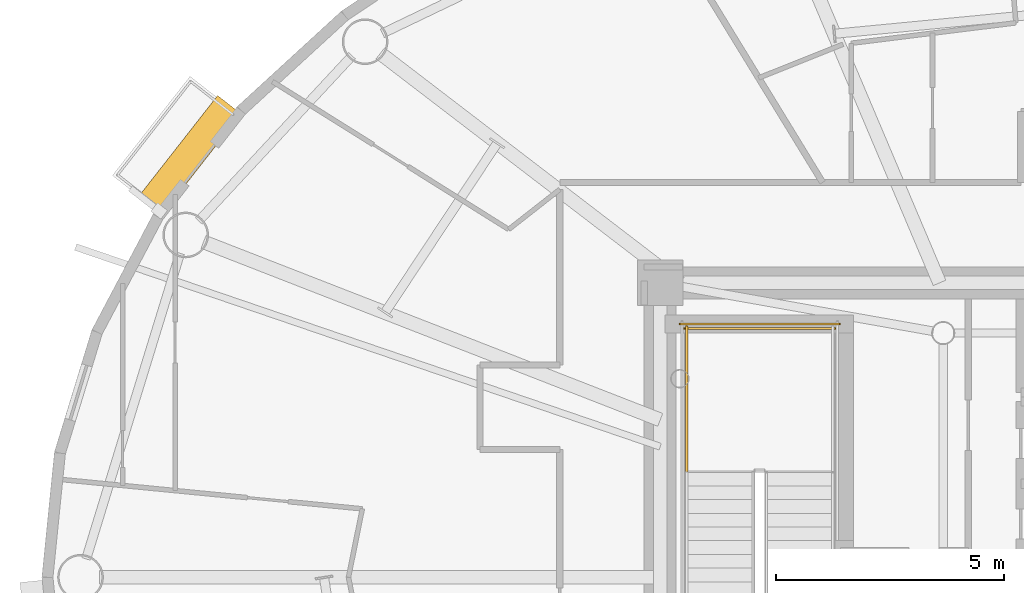
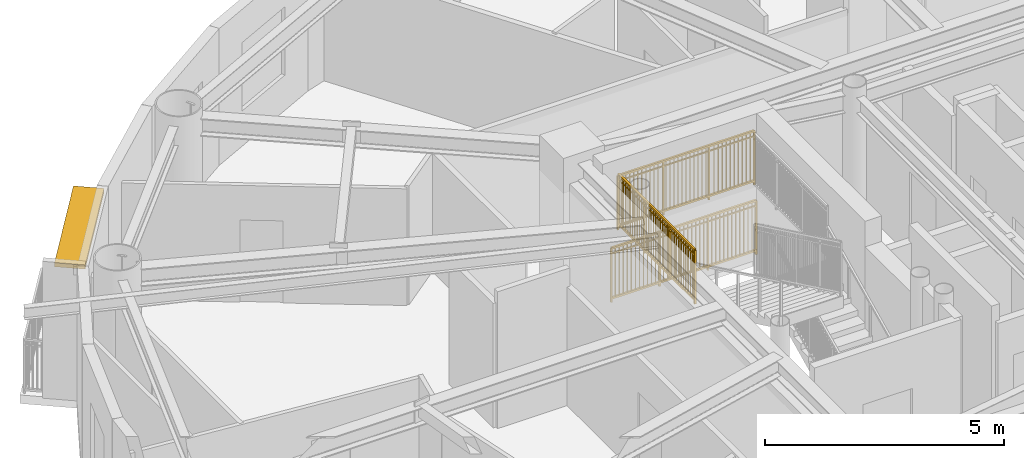
# One storey, part 15 of 18: 3 railings, 1 shading device.
"""IFC4 building model written with IfcOpenShell, lengths in metres."""

from ifc_helpers import new_model, si_unit, direction, frame, origin, origin_2d, place, context, subcontext, project, spatial, rectangle, extrude, source, transform, mapped, material, layer, layer_set, type_object, element, save


model = new_model("IFC4")

# Units and contexts
model_context = context("Model", 3, precision=1e-05, world=origin(), true_north=direction((0.0, 1.0)))
body_context = subcontext(model_context, "Body", "Model", "MODEL_VIEW")
ifc_project = project(units=[si_unit("LENGTHUNIT", "METRE"), si_unit("AREAUNIT", "SQUARE_METRE"), si_unit("VOLUMEUNIT", "CUBIC_METRE"), si_unit("PLANEANGLEUNIT", "RADIAN"), si_unit("MASSUNIT", "GRAM", prefix="KILO")], contexts=[model_context])

# Site, building, storey
site_placement = place(None, origin())
site = spatial("IfcSite", under=ifc_project, at=site_placement, CompositionType="ELEMENT")
building_placement = place(site_placement, origin())
building = spatial("IfcBuilding", under=site, at=building_placement, Name="Linh Dai School and Residence Tower", CompositionType="ELEMENT")
storey_placement = place(building_placement, frame((0.0, 0.0, 291.75)))
storey = spatial("IfcBuildingStorey", under=building, at=storey_placement, Name="L72", CompositionType="ELEMENT", Elevation=291.75)

# Shading device
ifc_material_1 = material(Name="Terracotta Ceramic Sunshade", Category="masonry")
ifc_layer = layer(ifc_material_1, 0.10009765625)
ifc_layer_set = layer_set([ifc_layer], Name="Terracotta Ceramic Sunshade")
shading_device_type = type_object("IfcShadingDeviceType", Name="SHD-TC-650", PredefinedType="USERDEFINED", material=ifc_layer_set)
shared_shape_1 = source(origin(), body_context, "Body", "SweptSolid", [
    extrude(rectangle(XDim=2.84033203125, YDim=0.64990234375, at=origin_2d()), origin(), (0.0, 0.0, 1.0), 0.10009765625),
])
shading_device_placement = place(storey_placement, frame((16.83349609375, 36.2353515625, 3.3798828125), z_axis=(0.0, 0.0, 1.0), x_axis=(0.616310813471, 0.78750300393, 0.0)))
element("IfcShadingDevice", 1, at=shading_device_placement, inside=storey, type_object=shading_device_type, Name="L72 Terracotta Horizontal Sunshade Band 17", ObjectType="SUNSHADE", PredefinedType="USERDEFINED", context=body_context, shape_type="MappedRepresentation", body=[
    mapped(shared_shape_1, transform((0.0, 0.0, 0.0), x_axis=(1.0, 0.0, 0.0), y_axis=(0.0, 1.0, 0.0), z_axis=(0.0, 0.0, 1.0), scale=1.0)),
])

# Railings
ifc_material_2 = material(Name="Structural Steel S355JR", Category="steel")
railing_type = type_object("IfcRailingType", Name="RL-ST-GUARD-1400", PredefinedType="GUARDRAIL", material=ifc_material_2)
shared_shape_2 = source(origin(), body_context, "Body", "SweptSolid", [
    extrude(rectangle(XDim=0.048095703125, YDim=0.048095703125, at=origin_2d()), frame((0.0, 0.0, 1.3759765625), z_axis=(-1.0, 0.0, 0.0), x_axis=(0.0, -1.0, 0.0)), (0.0, 0.0, 1.0), 3.300048828125),
    extrude(rectangle(XDim=0.048095703125, YDim=0.048095703125, at=origin_2d()), frame((0.0, 0.0, 0.10009765625), z_axis=(-1.0, 0.0, 0.0), x_axis=(0.0, -1.0, 0.0)), (0.0, 0.0, 1.0), 3.300048828125),
    extrude(rectangle(XDim=0.030029296875, YDim=0.030029296875, at=origin_2d()), frame((0.0, 0.0, 1.239990234375), z_axis=(-1.0, 0.0, 0.0), x_axis=(0.0, -1.0, 0.0)), (0.0, 0.0, 1.0), 3.300048828125),
    extrude(rectangle(XDim=0.02001953125, YDim=0.02001953125, at=origin_2d()), frame((-0.09716796875, 0.0, 0.10009765625)), (0.0, 0.0, 1.0), 1.251708984375),
    extrude(rectangle(XDim=0.02001953125, YDim=0.02001953125, at=origin_2d()), frame((-0.194091796875, 0.0, 0.10009765625)), (0.0, 0.0, 1.0), 1.251708984375),
    extrude(rectangle(XDim=0.02001953125, YDim=0.02001953125, at=origin_2d()), frame((-0.291259765625, 0.0, 0.10009765625)), (0.0, 0.0, 1.0), 1.251708984375),
    extrude(rectangle(XDim=0.02001953125, YDim=0.02001953125, at=origin_2d()), frame((-0.38818359375, 0.0, 0.10009765625)), (0.0, 0.0, 1.0), 1.251708984375),
    extrude(rectangle(XDim=0.02001953125, YDim=0.02001953125, at=origin_2d()), frame((-0.4853515625, 0.0, 0.10009765625)), (0.0, 0.0, 1.0), 1.251708984375),
    extrude(rectangle(XDim=0.02001953125, YDim=0.02001953125, at=origin_2d()), frame((-0.582275390625, 0.0, 0.10009765625)), (0.0, 0.0, 1.0), 1.251708984375),
    extrude(rectangle(XDim=0.02001953125, YDim=0.02001953125, at=origin_2d()), frame((-0.679443359375, 0.0, 0.10009765625)), (0.0, 0.0, 1.0), 1.251708984375),
    extrude(rectangle(XDim=0.02001953125, YDim=0.02001953125, at=origin_2d()), frame((-0.7763671875, 0.0, 0.10009765625)), (0.0, 0.0, 1.0), 1.251708984375),
    extrude(rectangle(XDim=0.02001953125, YDim=0.02001953125, at=origin_2d()), frame((-0.87353515625, 0.0, 0.10009765625)), (0.0, 0.0, 1.0), 1.251708984375),
    extrude(rectangle(XDim=0.02001953125, YDim=0.02001953125, at=origin_2d()), frame((-0.970703125, 0.0, 0.10009765625)), (0.0, 0.0, 1.0), 1.251708984375),
    extrude(rectangle(XDim=0.02001953125, YDim=0.02001953125, at=origin_2d()), frame((-1.164794921875, 0.0, 0.10009765625)), (0.0, 0.0, 1.0), 1.251708984375),
    extrude(rectangle(XDim=0.02001953125, YDim=0.02001953125, at=origin_2d()), frame((-1.26171875, 0.0, 0.10009765625)), (0.0, 0.0, 1.0), 1.251708984375),
    extrude(rectangle(XDim=0.02001953125, YDim=0.02001953125, at=origin_2d()), frame((-1.35888671875, 0.0, 0.10009765625)), (0.0, 0.0, 1.0), 1.251708984375),
    extrude(rectangle(XDim=0.02001953125, YDim=0.02001953125, at=origin_2d()), frame((-1.455810546875, 0.0, 0.10009765625)), (0.0, 0.0, 1.0), 1.251708984375),
    extrude(rectangle(XDim=0.02001953125, YDim=0.02001953125, at=origin_2d()), frame((-1.552978515625, 0.0, 0.10009765625)), (0.0, 0.0, 1.0), 1.251708984375),
    extrude(rectangle(XDim=0.02001953125, YDim=0.02001953125, at=origin_2d()), frame((-1.64990234375, 0.0, 0.10009765625)), (0.0, 0.0, 1.0), 1.251708984375),
    extrude(rectangle(XDim=0.02001953125, YDim=0.02001953125, at=origin_2d()), frame((-1.7470703125, 0.0, 0.10009765625)), (0.0, 0.0, 1.0), 1.251708984375),
    extrude(rectangle(XDim=0.02001953125, YDim=0.02001953125, at=origin_2d()), frame((-1.84423828125, 0.0, 0.10009765625)), (0.0, 0.0, 1.0), 1.251708984375),
    extrude(rectangle(XDim=0.02001953125, YDim=0.02001953125, at=origin_2d()), frame((-1.941162109375, 0.0, 0.10009765625)), (0.0, 0.0, 1.0), 1.251708984375),
    extrude(rectangle(XDim=0.02001953125, YDim=0.02001953125, at=origin_2d()), frame((-2.038330078125, 0.0, 0.10009765625)), (0.0, 0.0, 1.0), 1.251708984375),
    extrude(rectangle(XDim=0.02001953125, YDim=0.02001953125, at=origin_2d()), frame((-2.13525390625, 0.0, 0.10009765625)), (0.0, 0.0, 1.0), 1.251708984375),
    extrude(rectangle(XDim=0.02001953125, YDim=0.02001953125, at=origin_2d()), frame((-2.329345703125, 0.0, 0.10009765625)), (0.0, 0.0, 1.0), 1.251708984375),
    extrude(rectangle(XDim=0.02001953125, YDim=0.02001953125, at=origin_2d()), frame((-2.426513671875, 0.0, 0.10009765625)), (0.0, 0.0, 1.0), 1.251708984375),
    extrude(rectangle(XDim=0.02001953125, YDim=0.02001953125, at=origin_2d()), frame((-2.523681640625, 0.0, 0.10009765625)), (0.0, 0.0, 1.0), 1.251708984375),
    extrude(rectangle(XDim=0.02001953125, YDim=0.02001953125, at=origin_2d()), frame((-2.62060546875, 0.0, 0.10009765625)), (0.0, 0.0, 1.0), 1.251708984375),
    extrude(rectangle(XDim=0.02001953125, YDim=0.02001953125, at=origin_2d()), frame((-2.7177734375, 0.0, 0.10009765625)), (0.0, 0.0, 1.0), 1.251708984375),
    extrude(rectangle(XDim=0.02001953125, YDim=0.02001953125, at=origin_2d()), frame((-2.814697265625, 0.0, 0.10009765625)), (0.0, 0.0, 1.0), 1.251708984375),
    extrude(rectangle(XDim=0.02001953125, YDim=0.02001953125, at=origin_2d()), frame((-2.911865234375, 0.0, 0.10009765625)), (0.0, 0.0, 1.0), 1.251708984375),
    extrude(rectangle(XDim=0.02001953125, YDim=0.02001953125, at=origin_2d()), frame((-3.0087890625, 0.0, 0.10009765625)), (0.0, 0.0, 1.0), 1.251708984375),
    extrude(rectangle(XDim=0.02001953125, YDim=0.02001953125, at=origin_2d()), frame((-3.10595703125, 0.0, 0.10009765625)), (0.0, 0.0, 1.0), 1.251708984375),
    extrude(rectangle(XDim=0.02001953125, YDim=0.02001953125, at=origin_2d()), frame((-3.202880859375, 0.0, 0.10009765625)), (0.0, 0.0, 1.0), 1.251708984375),
    extrude(rectangle(XDim=0.0419921875, YDim=0.0419921875, at=origin_2d()), origin(), (0.0, 0.0, 1.0), 1.3759765625),
    extrude(rectangle(XDim=0.0419921875, YDim=0.0419921875, at=origin_2d()), frame((-1.10009765625, 0.0, 0.0)), (0.0, 0.0, 1.0), 1.3759765625),
    extrude(rectangle(XDim=0.0419921875, YDim=0.0419921875, at=origin_2d()), frame((-2.199951171875, 0.0, 0.0)), (0.0, 0.0, 1.0), 1.3759765625),
    extrude(rectangle(XDim=0.0419921875, YDim=0.0419921875, at=origin_2d()), frame((-3.300048828125, 0.0, 0.0)), (0.0, 0.0, 1.0), 1.3759765625),
])
railing_1_placement = place(storey_placement, frame((30.97998046875, 32.449951171875, 1.875)))
element("IfcRailing", 2, at=railing_1_placement, inside=storey, type_object=railing_type, Name="L72 ST1 stair guard 5", PredefinedType="GUARDRAIL", context=body_context, shape_type="MappedRepresentation", body=[
    mapped(shared_shape_2, transform((0.0, 0.0, 0.0), x_axis=(1.0, 0.0, 0.0), y_axis=(0.0, 1.0, 0.0), z_axis=(0.0, 0.0, 1.0), scale=1.0)),
])
shared_shape_3 = source(origin(), body_context, "Body", "SweptSolid", [
    extrude(rectangle(XDim=0.048095703125, YDim=0.048095703125, at=origin_2d()), frame((0.0, 0.0, 1.3759765625), z_axis=(-1.0, 0.0, 0.0), x_axis=(0.0, -1.0, 0.0)), (0.0, 0.0, 1.0), 3.5),
    extrude(rectangle(XDim=0.048095703125, YDim=0.048095703125, at=origin_2d()), frame((0.0, 0.0, 0.10009765625), z_axis=(-1.0, 0.0, 0.0), x_axis=(0.0, -1.0, 0.0)), (0.0, 0.0, 1.0), 3.5),
    extrude(rectangle(XDim=0.030029296875, YDim=0.030029296875, at=origin_2d()), frame((0.0, 0.0, 1.239990234375), z_axis=(-1.0, 0.0, 0.0), x_axis=(0.0, -1.0, 0.0)), (0.0, 0.0, 1.0), 3.5),
    extrude(rectangle(XDim=0.02001953125, YDim=0.02001953125, at=origin_2d()), frame((-0.09716796875, 0.0, 0.10009765625)), (0.0, 0.0, 1.0), 1.251708984375),
    extrude(rectangle(XDim=0.02001953125, YDim=0.02001953125, at=origin_2d()), frame((-0.1943359375, 0.0, 0.10009765625)), (0.0, 0.0, 1.0), 1.251708984375),
    extrude(rectangle(XDim=0.02001953125, YDim=0.02001953125, at=origin_2d()), frame((-0.291748046875, 0.0, 0.10009765625)), (0.0, 0.0, 1.0), 1.251708984375),
    extrude(rectangle(XDim=0.02001953125, YDim=0.02001953125, at=origin_2d()), frame((-0.388916015625, 0.0, 0.10009765625)), (0.0, 0.0, 1.0), 1.251708984375),
    extrude(rectangle(XDim=0.02001953125, YDim=0.02001953125, at=origin_2d()), frame((-0.486083984375, 0.0, 0.10009765625)), (0.0, 0.0, 1.0), 1.251708984375),
    extrude(rectangle(XDim=0.02001953125, YDim=0.02001953125, at=origin_2d()), frame((-0.583251953125, 0.0, 0.10009765625)), (0.0, 0.0, 1.0), 1.251708984375),
    extrude(rectangle(XDim=0.02001953125, YDim=0.02001953125, at=origin_2d()), frame((-0.6806640625, 0.0, 0.10009765625)), (0.0, 0.0, 1.0), 1.251708984375),
    extrude(rectangle(XDim=0.02001953125, YDim=0.02001953125, at=origin_2d()), frame((-0.77783203125, 0.0, 0.10009765625)), (0.0, 0.0, 1.0), 1.251708984375),
    extrude(rectangle(XDim=0.02001953125, YDim=0.02001953125, at=origin_2d()), frame((-0.875, 0.0, 0.10009765625)), (0.0, 0.0, 1.0), 1.251708984375),
    extrude(rectangle(XDim=0.02001953125, YDim=0.02001953125, at=origin_2d()), frame((-0.97216796875, 0.0, 0.10009765625)), (0.0, 0.0, 1.0), 1.251708984375),
    extrude(rectangle(XDim=0.02001953125, YDim=0.02001953125, at=origin_2d()), frame((-1.0693359375, 0.0, 0.10009765625)), (0.0, 0.0, 1.0), 1.251708984375),
    extrude(rectangle(XDim=0.02001953125, YDim=0.02001953125, at=origin_2d()), frame((-1.263916015625, 0.0, 0.10009765625)), (0.0, 0.0, 1.0), 1.251708984375),
    extrude(rectangle(XDim=0.02001953125, YDim=0.02001953125, at=origin_2d()), frame((-1.361083984375, 0.0, 0.10009765625)), (0.0, 0.0, 1.0), 1.251708984375),
    extrude(rectangle(XDim=0.02001953125, YDim=0.02001953125, at=origin_2d()), frame((-1.458251953125, 0.0, 0.10009765625)), (0.0, 0.0, 1.0), 1.251708984375),
    extrude(rectangle(XDim=0.02001953125, YDim=0.02001953125, at=origin_2d()), frame((-1.5556640625, 0.0, 0.10009765625)), (0.0, 0.0, 1.0), 1.251708984375),
    extrude(rectangle(XDim=0.02001953125, YDim=0.02001953125, at=origin_2d()), frame((-1.65283203125, 0.0, 0.10009765625)), (0.0, 0.0, 1.0), 1.251708984375),
    extrude(rectangle(XDim=0.02001953125, YDim=0.02001953125, at=origin_2d()), frame((-1.75, 0.0, 0.10009765625)), (0.0, 0.0, 1.0), 1.251708984375),
    extrude(rectangle(XDim=0.02001953125, YDim=0.02001953125, at=origin_2d()), frame((-1.84716796875, 0.0, 0.10009765625)), (0.0, 0.0, 1.0), 1.251708984375),
    extrude(rectangle(XDim=0.02001953125, YDim=0.02001953125, at=origin_2d()), frame((-1.9443359375, 0.0, 0.10009765625)), (0.0, 0.0, 1.0), 1.251708984375),
    extrude(rectangle(XDim=0.02001953125, YDim=0.02001953125, at=origin_2d()), frame((-2.041748046875, 0.0, 0.10009765625)), (0.0, 0.0, 1.0), 1.251708984375),
    extrude(rectangle(XDim=0.02001953125, YDim=0.02001953125, at=origin_2d()), frame((-2.138916015625, 0.0, 0.10009765625)), (0.0, 0.0, 1.0), 1.251708984375),
    extrude(rectangle(XDim=0.02001953125, YDim=0.02001953125, at=origin_2d()), frame((-2.236083984375, 0.0, 0.10009765625)), (0.0, 0.0, 1.0), 1.251708984375),
    extrude(rectangle(XDim=0.02001953125, YDim=0.02001953125, at=origin_2d()), frame((-2.4306640625, 0.0, 0.10009765625)), (0.0, 0.0, 1.0), 1.251708984375),
    extrude(rectangle(XDim=0.02001953125, YDim=0.02001953125, at=origin_2d()), frame((-2.52783203125, 0.0, 0.10009765625)), (0.0, 0.0, 1.0), 1.251708984375),
    extrude(rectangle(XDim=0.02001953125, YDim=0.02001953125, at=origin_2d()), frame((-2.625, 0.0, 0.10009765625)), (0.0, 0.0, 1.0), 1.251708984375),
    extrude(rectangle(XDim=0.02001953125, YDim=0.02001953125, at=origin_2d()), frame((-2.72216796875, 0.0, 0.10009765625)), (0.0, 0.0, 1.0), 1.251708984375),
    extrude(rectangle(XDim=0.02001953125, YDim=0.02001953125, at=origin_2d()), frame((-2.8193359375, 0.0, 0.10009765625)), (0.0, 0.0, 1.0), 1.251708984375),
    extrude(rectangle(XDim=0.02001953125, YDim=0.02001953125, at=origin_2d()), frame((-2.916748046875, 0.0, 0.10009765625)), (0.0, 0.0, 1.0), 1.251708984375),
    extrude(rectangle(XDim=0.02001953125, YDim=0.02001953125, at=origin_2d()), frame((-3.013916015625, 0.0, 0.10009765625)), (0.0, 0.0, 1.0), 1.251708984375),
    extrude(rectangle(XDim=0.02001953125, YDim=0.02001953125, at=origin_2d()), frame((-3.111083984375, 0.0, 0.10009765625)), (0.0, 0.0, 1.0), 1.251708984375),
    extrude(rectangle(XDim=0.02001953125, YDim=0.02001953125, at=origin_2d()), frame((-3.208251953125, 0.0, 0.10009765625)), (0.0, 0.0, 1.0), 1.251708984375),
    extrude(rectangle(XDim=0.02001953125, YDim=0.02001953125, at=origin_2d()), frame((-3.3056640625, 0.0, 0.10009765625)), (0.0, 0.0, 1.0), 1.251708984375),
    extrude(rectangle(XDim=0.02001953125, YDim=0.02001953125, at=origin_2d()), frame((-3.40283203125, 0.0, 0.10009765625)), (0.0, 0.0, 1.0), 1.251708984375),
    extrude(rectangle(XDim=0.0419921875, YDim=0.0419921875, at=origin_2d()), origin(), (0.0, 0.0, 1.0), 1.3759765625),
    extrude(rectangle(XDim=0.0419921875, YDim=0.0419921875, at=origin_2d()), frame((-1.166748046875, 0.0, 0.0)), (0.0, 0.0, 1.0), 1.3759765625),
    extrude(rectangle(XDim=0.0419921875, YDim=0.0419921875, at=origin_2d()), frame((-2.333251953125, 0.0, 0.0)), (0.0, 0.0, 1.0), 1.3759765625),
    extrude(rectangle(XDim=0.0419921875, YDim=0.0419921875, at=origin_2d()), frame((-3.5, 0.0, 0.0)), (0.0, 0.0, 1.0), 1.3759765625),
])
railing_2_placement = place(storey_placement, frame((31.080078125, 32.550048828125, 0.0)))
element("IfcRailing", 3, at=railing_2_placement, inside=storey, type_object=railing_type, Name="L72 ST1 stair guard 12", PredefinedType="GUARDRAIL", context=body_context, shape_type="MappedRepresentation", body=[
    mapped(shared_shape_3, transform((0.0, 0.0, 0.0), x_axis=(1.0, 0.0, 0.0), y_axis=(0.0, 1.0, 0.0), z_axis=(0.0, 0.0, 1.0), scale=1.0)),
])
shared_shape_4 = source(origin(), body_context, "Body", "SweptSolid", [
    extrude(rectangle(XDim=0.048095703125, YDim=0.048095703125, at=origin_2d()), frame((0.0, 0.0, 1.3759765625), z_axis=(0.0, 1.0, 0.0), x_axis=(-1.0, 0.0, 0.0)), (0.0, 0.0, 1.0), 3.199951171875),
    extrude(rectangle(XDim=0.048095703125, YDim=0.048095703125, at=origin_2d()), frame((0.0, 0.0, 0.10009765625), z_axis=(0.0, 1.0, 0.0), x_axis=(-1.0, 0.0, 0.0)), (0.0, 0.0, 1.0), 3.199951171875),
    extrude(rectangle(XDim=0.030029296875, YDim=0.030029296875, at=origin_2d()), frame((0.0, 0.0, 1.239990234375), z_axis=(0.0, 1.0, 0.0), x_axis=(-1.0, 0.0, 0.0)), (0.0, 0.0, 1.0), 3.199951171875),
    extrude(rectangle(XDim=0.02001953125, YDim=0.02001953125, at=origin_2d()), frame((0.0, 0.096923828125, 0.10009765625)), (0.0, 0.0, 1.0), 1.251708984375),
    extrude(rectangle(XDim=0.02001953125, YDim=0.02001953125, at=origin_2d()), frame((0.0, 0.19384765625, 0.10009765625)), (0.0, 0.0, 1.0), 1.251708984375),
    extrude(rectangle(XDim=0.02001953125, YDim=0.02001953125, at=origin_2d()), frame((0.0, 0.291015625, 0.10009765625)), (0.0, 0.0, 1.0), 1.251708984375),
    extrude(rectangle(XDim=0.02001953125, YDim=0.02001953125, at=origin_2d()), frame((0.0, 0.387939453125, 0.10009765625)), (0.0, 0.0, 1.0), 1.251708984375),
    extrude(rectangle(XDim=0.02001953125, YDim=0.02001953125, at=origin_2d()), frame((0.0, 0.48486328125, 0.10009765625)), (0.0, 0.0, 1.0), 1.251708984375),
    extrude(rectangle(XDim=0.02001953125, YDim=0.02001953125, at=origin_2d()), frame((0.0, 0.581787109375, 0.10009765625)), (0.0, 0.0, 1.0), 1.251708984375),
    extrude(rectangle(XDim=0.02001953125, YDim=0.02001953125, at=origin_2d()), frame((0.0, 0.6787109375, 0.10009765625)), (0.0, 0.0, 1.0), 1.251708984375),
    extrude(rectangle(XDim=0.02001953125, YDim=0.02001953125, at=origin_2d()), frame((0.0, 0.775634765625, 0.10009765625)), (0.0, 0.0, 1.0), 1.251708984375),
    extrude(rectangle(XDim=0.02001953125, YDim=0.02001953125, at=origin_2d()), frame((0.0, 0.872802734375, 0.10009765625)), (0.0, 0.0, 1.0), 1.251708984375),
    extrude(rectangle(XDim=0.02001953125, YDim=0.02001953125, at=origin_2d()), frame((0.0, 0.9697265625, 0.10009765625)), (0.0, 0.0, 1.0), 1.251708984375),
    extrude(rectangle(XDim=0.02001953125, YDim=0.02001953125, at=origin_2d()), frame((0.0, 1.16357421875, 0.10009765625)), (0.0, 0.0, 1.0), 1.251708984375),
    extrude(rectangle(XDim=0.02001953125, YDim=0.02001953125, at=origin_2d()), frame((0.0, 1.260498046875, 0.10009765625)), (0.0, 0.0, 1.0), 1.251708984375),
    extrude(rectangle(XDim=0.02001953125, YDim=0.02001953125, at=origin_2d()), frame((0.0, 1.357666015625, 0.10009765625)), (0.0, 0.0, 1.0), 1.251708984375),
    extrude(rectangle(XDim=0.02001953125, YDim=0.02001953125, at=origin_2d()), frame((0.0, 1.45458984375, 0.10009765625)), (0.0, 0.0, 1.0), 1.251708984375),
    extrude(rectangle(XDim=0.02001953125, YDim=0.02001953125, at=origin_2d()), frame((0.0, 1.551513671875, 0.10009765625)), (0.0, 0.0, 1.0), 1.251708984375),
    extrude(rectangle(XDim=0.02001953125, YDim=0.02001953125, at=origin_2d()), frame((0.0, 1.6484375, 0.10009765625)), (0.0, 0.0, 1.0), 1.251708984375),
    extrude(rectangle(XDim=0.02001953125, YDim=0.02001953125, at=origin_2d()), frame((0.0, 1.745361328125, 0.10009765625)), (0.0, 0.0, 1.0), 1.251708984375),
    extrude(rectangle(XDim=0.02001953125, YDim=0.02001953125, at=origin_2d()), frame((0.0, 1.84228515625, 0.10009765625)), (0.0, 0.0, 1.0), 1.251708984375),
    extrude(rectangle(XDim=0.02001953125, YDim=0.02001953125, at=origin_2d()), frame((0.0, 1.939453125, 0.10009765625)), (0.0, 0.0, 1.0), 1.251708984375),
    extrude(rectangle(XDim=0.02001953125, YDim=0.02001953125, at=origin_2d()), frame((0.0, 2.036376953125, 0.10009765625)), (0.0, 0.0, 1.0), 1.251708984375),
    extrude(rectangle(XDim=0.02001953125, YDim=0.02001953125, at=origin_2d()), frame((0.0, 2.230224609375, 0.10009765625)), (0.0, 0.0, 1.0), 1.251708984375),
    extrude(rectangle(XDim=0.02001953125, YDim=0.02001953125, at=origin_2d()), frame((0.0, 2.3271484375, 0.10009765625)), (0.0, 0.0, 1.0), 1.251708984375),
    extrude(rectangle(XDim=0.02001953125, YDim=0.02001953125, at=origin_2d()), frame((0.0, 2.42431640625, 0.10009765625)), (0.0, 0.0, 1.0), 1.251708984375),
    extrude(rectangle(XDim=0.02001953125, YDim=0.02001953125, at=origin_2d()), frame((0.0, 2.521240234375, 0.10009765625)), (0.0, 0.0, 1.0), 1.251708984375),
    extrude(rectangle(XDim=0.02001953125, YDim=0.02001953125, at=origin_2d()), frame((0.0, 2.6181640625, 0.10009765625)), (0.0, 0.0, 1.0), 1.251708984375),
    extrude(rectangle(XDim=0.02001953125, YDim=0.02001953125, at=origin_2d()), frame((0.0, 2.715087890625, 0.10009765625)), (0.0, 0.0, 1.0), 1.251708984375),
    extrude(rectangle(XDim=0.02001953125, YDim=0.02001953125, at=origin_2d()), frame((0.0, 2.81201171875, 0.10009765625)), (0.0, 0.0, 1.0), 1.251708984375),
    extrude(rectangle(XDim=0.02001953125, YDim=0.02001953125, at=origin_2d()), frame((0.0, 2.908935546875, 0.10009765625)), (0.0, 0.0, 1.0), 1.251708984375),
    extrude(rectangle(XDim=0.02001953125, YDim=0.02001953125, at=origin_2d()), frame((0.0, 3.006103515625, 0.10009765625)), (0.0, 0.0, 1.0), 1.251708984375),
    extrude(rectangle(XDim=0.02001953125, YDim=0.02001953125, at=origin_2d()), frame((0.0, 3.10302734375, 0.10009765625)), (0.0, 0.0, 1.0), 1.251708984375),
    extrude(rectangle(XDim=0.0419921875, YDim=0.0419921875, at=origin_2d()), origin(), (0.0, 0.0, 1.0), 1.3759765625),
    extrude(rectangle(XDim=0.0419921875, YDim=0.0419921875, at=origin_2d()), frame((0.0, 1.066650390625, 0.0)), (0.0, 0.0, 1.0), 1.3759765625),
    extrude(rectangle(XDim=0.0419921875, YDim=0.0419921875, at=origin_2d()), frame((0.0, 2.13330078125, 0.0)), (0.0, 0.0, 1.0), 1.3759765625),
    extrude(rectangle(XDim=0.0419921875, YDim=0.0419921875, at=origin_2d()), frame((0.0, 3.199951171875, 0.0)), (0.0, 0.0, 1.0), 1.3759765625),
])
railing_3_placement = place(storey_placement, frame((27.72998046875, 29.300048828125, 1.875)))
element("IfcRailing", 4, at=railing_3_placement, inside=storey, type_object=railing_type, Name="L72 ST1 stair guard 4", PredefinedType="GUARDRAIL", context=body_context, shape_type="MappedRepresentation", body=[
    mapped(shared_shape_4, transform((0.0, 0.0, 0.0), x_axis=(1.0, 0.0, 0.0), y_axis=(0.0, 1.0, 0.0), z_axis=(0.0, 0.0, 1.0), scale=1.0)),
])

save(model, "model.ifc")
